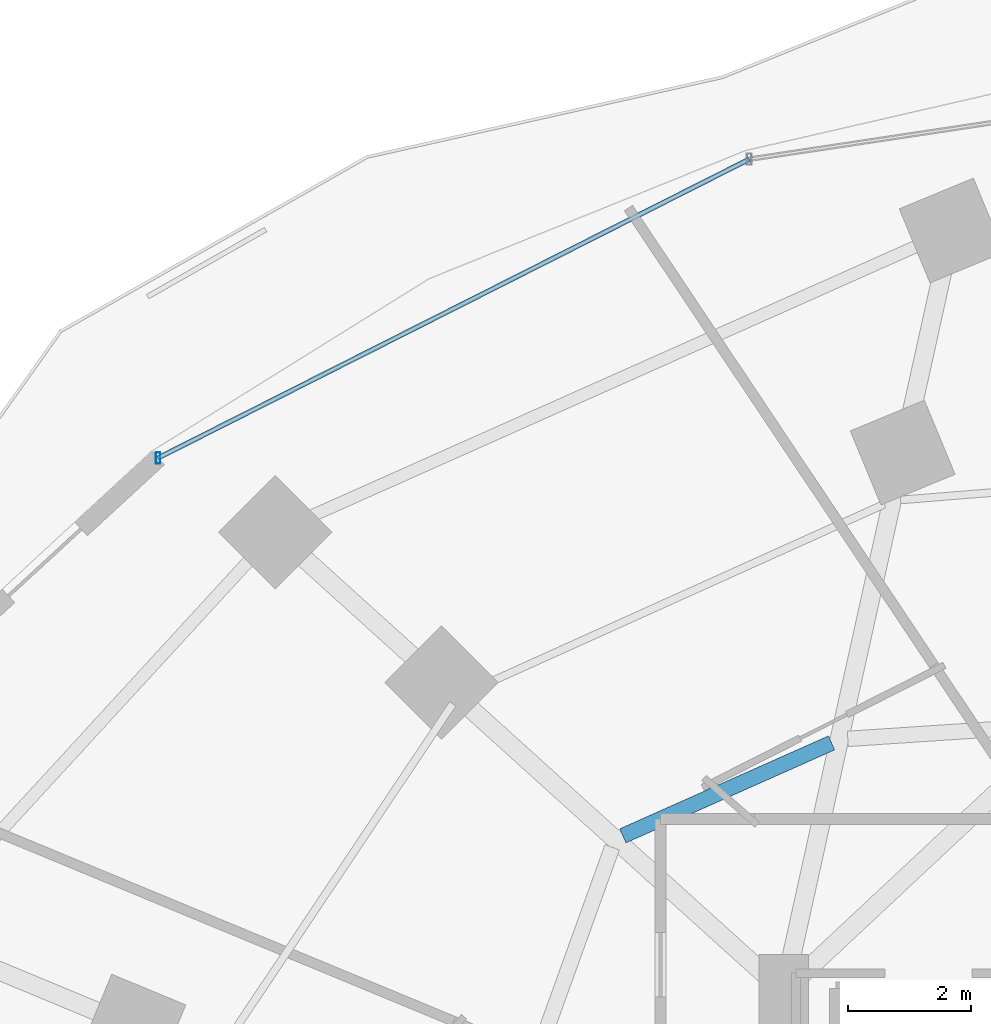
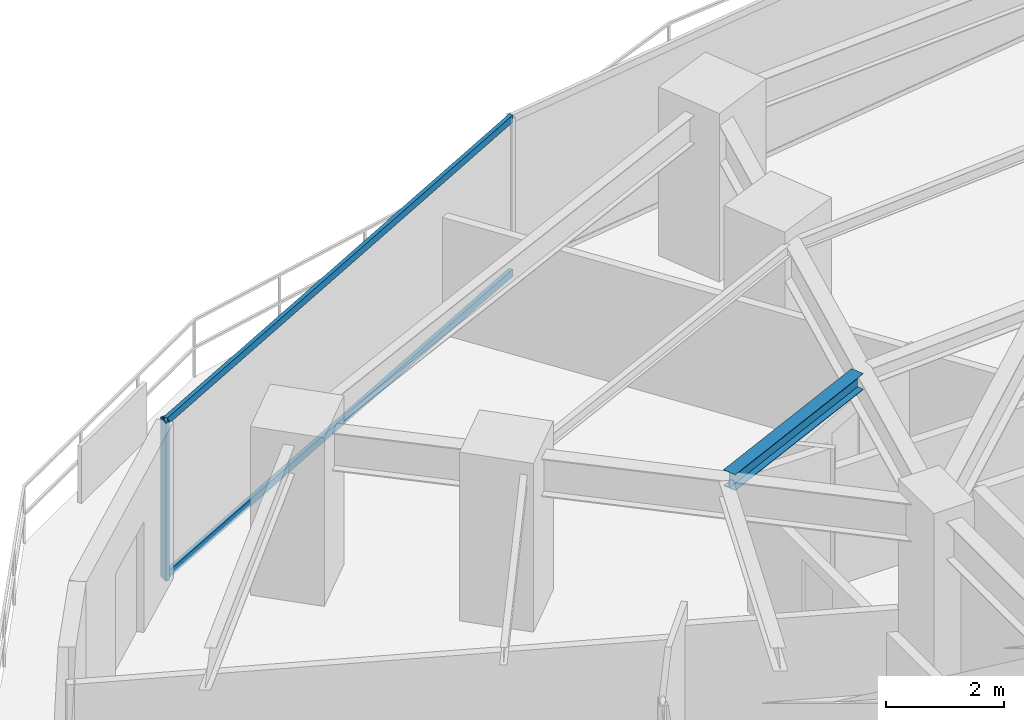
# One storey, part 20 of 35: 3 members, 1 beam, 1 element without a shape of its own.
"""IFC4 building model written with IfcOpenShell, lengths in metres."""

from ifc_helpers import new_model, si_unit, direction, frame, origin, origin_2d, place, context, subcontext, project, spatial, hollow_rectangle, i_section, extrude, material, material_profile, profile_set, type_object, element, aggregate, save


model = new_model("IFC4")

# Units and contexts
model_context = context("Model", 3, precision=1e-05, world=origin(), true_north=direction((0.0, 1.0)))
body_context = subcontext(model_context, "Body", "Model", "MODEL_VIEW")
ifc_project = project(units=[si_unit("LENGTHUNIT", "METRE"), si_unit("AREAUNIT", "SQUARE_METRE"), si_unit("VOLUMEUNIT", "CUBIC_METRE"), si_unit("PLANEANGLEUNIT", "RADIAN"), si_unit("MASSUNIT", "GRAM", prefix="KILO")], contexts=[model_context])

# Site, building, storey
site_placement = place(None, origin())
site = spatial("IfcSite", under=ifc_project, at=site_placement, CompositionType="ELEMENT")
building_placement = place(site_placement, origin())
building = spatial("IfcBuilding", under=site, at=building_placement, Name="Vorneva Point Tower", CompositionType="ELEMENT")
storey_placement = place(building_placement, frame((0.0, 0.0, 45.0)))
storey = spatial("IfcBuildingStorey", under=building, at=storey_placement, Name="L11", CompositionType="ELEMENT", Elevation=45.0)

# Beam
ifc_material_1 = material(Name="Steel S355", Category="steel")
ifc_material_profile_1 = material_profile(ifc_material_1, i_section(OverallWidth=0.2490234375, OverallDepth=0.333984375, WebThickness=0.008056640625, FlangeThickness=0.010986328125, at=origin_2d()), Name="35Sh1")
ifc_profile_set_1 = profile_set([ifc_material_profile_1], Name="Steel S355")
beam_type = type_object("IfcBeamType", Name="BM-SEC-35Sh1", PredefinedType="BEAM", material=ifc_profile_set_1)
beam_placement = place(storey_placement, frame((28.026611328125, 37.183349609375, 3.072998046875), z_axis=(-0.913523317938, -0.406786366026, 0.0), x_axis=(0.406786366026, -0.913523317938, 0.0)))
element("IfcBeam", 1, at=beam_placement, inside=storey, type_object=beam_type, Name="L11 Secondary Floor Beam 2.06", PredefinedType="BEAM", context=body_context, shape_type="SweptSolid", body=[
    extrude(i_section(OverallWidth=0.2490234375, OverallDepth=0.333984375, WebThickness=0.008056640625, FlangeThickness=0.010986328125, at=origin_2d()), origin(), (0.0, 0.0, 1.0), 3.705322265625),
])

# Curtain wall, members
ifc_material_2 = material(Name="Pale anodised aluminium", Category="aluminium")
curtain_wall_type = type_object("IfcCurtainWallType", Name="CW-HTL-SYS", PredefinedType="NOTDEFINED", material=ifc_material_2)
curtain_wall_placement = place(storey_placement, origin())
curtain_wall = element("IfcCurtainWall", 2, at=curtain_wall_placement, inside=storey, type_object=curtain_wall_type, Name="L11 Unitised Curtain Wall CW-L11-R02", PredefinedType="NOTDEFINED")
ifc_material_profile_2 = material_profile(ifc_material_2, hollow_rectangle(XDim=0.074951171875, YDim=0.179931640625, WallThickness=0.00390625, at=origin_2d()), Name="AL-MUL 180x75x4")
ifc_profile_set_2 = profile_set([ifc_material_profile_2], Name="Pale anodised aluminium")
member_type_1 = type_object("IfcMemberType", Name="CW-MUL-180", PredefinedType="MULLION", material=ifc_profile_set_2)
member_1_placement = place(storey_placement, frame((17.10498046875, 41.8037109375, -0.0400390625), z_axis=(0.0, 0.0, 1.0), x_axis=(1.0, 0.0, 0.0)))
member_1 = element("IfcMember", 3, at=member_1_placement, type_object=member_type_1, Name="CW-L11-R02 Mullion 05", PredefinedType="MULLION", context=body_context, shape_type="SweptSolid", body=[
    extrude(hollow_rectangle(XDim=0.074951171875, YDim=0.179931640625, WallThickness=0.00390625, at=origin_2d()), origin(), (0.0, 0.0, 1.0), 3.31005859375),
])
ifc_material_profile_3 = material_profile(ifc_material_2, hollow_rectangle(XDim=0.074951171875, YDim=0.14990234375, WallThickness=0.00390625, at=origin_2d()), Name="AL-TRN 150x75x4")
ifc_profile_set_3 = profile_set([ifc_material_profile_3], Name="Pale anodised aluminium")
member_type_2 = type_object("IfcMemberType", Name="CW-TRN-150", PredefinedType="USERDEFINED", material=ifc_profile_set_3)
member_2_placement = place(storey_placement, frame((26.691650390625, 46.648681640625, 0.02001953125), z_axis=(-0.892496057621, -0.451055192999, 0.0), x_axis=(0.451055192999, -0.892496057621, 0.0)))
member_2 = element("IfcMember", 4, at=member_2_placement, type_object=member_type_2, Name="CW-L11-R02 Transom 04.1", ObjectType="TRANSOM", PredefinedType="USERDEFINED", context=body_context, shape_type="SweptSolid", body=[
    extrude(hollow_rectangle(XDim=0.074951171875, YDim=0.14990234375, WallThickness=0.00390625, at=origin_2d()), origin(), (0.0, 0.0, 1.0), 10.741455078125),
])
member_3_placement = place(storey_placement, frame((26.691650390625, 46.648681640625, 3.219970703125), z_axis=(-0.892496057621, -0.451055192999, 0.0), x_axis=(0.451055192999, -0.892496057621, 0.0)))
member_3 = element("IfcMember", 5, at=member_3_placement, type_object=member_type_2, Name="CW-L11-R02 Transom 04.2", ObjectType="TRANSOM", PredefinedType="USERDEFINED", context=body_context, shape_type="SweptSolid", body=[
    extrude(hollow_rectangle(XDim=0.074951171875, YDim=0.14990234375, WallThickness=0.00390625, at=origin_2d()), origin(), (0.0, 0.0, 1.0), 10.741455078125),
])
aggregate(curtain_wall, [member_1, member_2, member_3])

save(model, "model.ifc")
